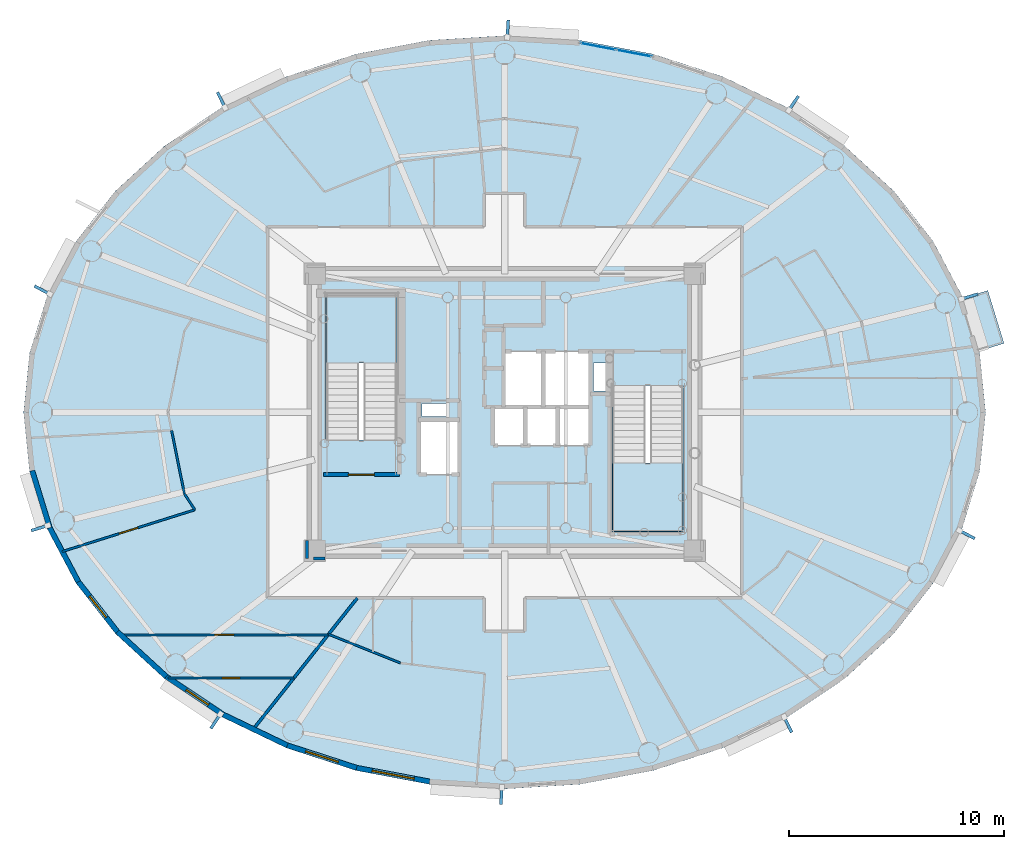
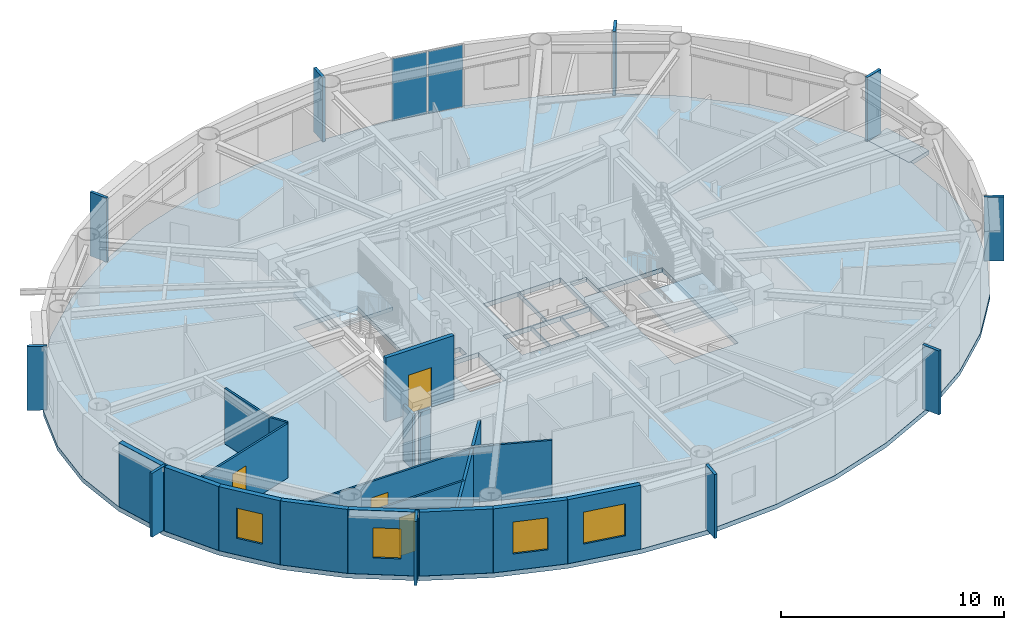
# One storey, part 5 of 17: 18 walls, 12 plates, 4 doors, 4 slabs, 4 windows, 8 openings, 3 elements without a shape of their own.
"""IFC4 building model written with IfcOpenShell, lengths in metres."""

from ifc_helpers import new_model, si_unit, direction, frame, frame_2d, origin, origin_2d, place, context, subcontext, project, spatial, polyline, rectangle, outline, extrude, source, transform, mapped, material, layer, layer_set, type_object, element, fill, aggregate, save


model = new_model("IFC4")

# Units and contexts
model_context = context("Model", 3, precision=1e-05, world=origin(), true_north=direction((0.0, 1.0)))
body_context = subcontext(model_context, "Body", "Model", "MODEL_VIEW")
ifc_project = project(units=[si_unit("LENGTHUNIT", "METRE"), si_unit("AREAUNIT", "SQUARE_METRE"), si_unit("VOLUMEUNIT", "CUBIC_METRE"), si_unit("PLANEANGLEUNIT", "RADIAN"), si_unit("MASSUNIT", "GRAM", prefix="KILO")], contexts=[model_context])

# Site, building, storey
site_placement = place(None, origin())
site = spatial("IfcSite", under=ifc_project, at=site_placement, CompositionType="ELEMENT")
building_placement = place(site_placement, origin())
building = spatial("IfcBuilding", under=site, at=building_placement, Name="Linh Dai School and Residence Tower", CompositionType="ELEMENT")
storey_placement = place(building_placement, frame((0.0, 0.0, 280.5)))
storey = spatial("IfcBuildingStorey", under=building, at=storey_placement, Name="L69", CompositionType="ELEMENT", Elevation=280.5)

# Slabs
ifc_material_1 = material(Name="Concrete B45 (C35/45)", Category="concrete")
ifc_layer_1 = layer(ifc_material_1, 0.219970703125)
ifc_layer_set_1 = layer_set([ifc_layer_1], Name="Concrete B45 (C35/45)")
slab_type_1 = type_object("IfcSlabType", Name="SLB-BALC-220", PredefinedType="FLOOR", material=ifc_layer_set_1)
slab_1_placement = place(storey_placement, frame((0.0, 0.0, -0.219970703125)))
element("IfcSlab", 1, at=slab_1_placement, inside=storey, type_object=slab_type_1, Name="L69 Sliding Balcony Slab 02", PredefinedType="FLOOR", context=body_context, shape_type="SweptSolid", body=[
    extrude(outline(polyline([(57.260498046875, 32.289794921875), (58.015380859375, 29.827880859375), (59.25830078125, 30.208984375), (58.50341796875, 32.6708984375), (57.260498046875, 32.289794921875)])), origin(), (0.0, 0.0, 1.0), 0.219970703125),
])
ifc_layer_2 = layer(ifc_material_1, 0.25)
ifc_layer_set_2 = layer_set([ifc_layer_2], Name="Concrete B45 (C35/45)")
slab_type_2 = type_object("IfcSlabType", Name="SLB-FLR250", PredefinedType="FLOOR", material=ifc_layer_set_2)
slab_2_placement = place(storey_placement, frame((0.0, 0.0, -0.25)))
element("IfcSlab", 2, at=slab_2_placement, inside=storey, type_object=slab_type_2, Name="L69 Composite Structural Floor Slab", PredefinedType="FLOOR", context=body_context, shape_type="SweptSolid", body=[
    extrude(outline(polyline([(58.39990234375, 27.0), (58.124267578125, 29.743896484375), (57.3037109375, 32.420166015625), (55.95849609375, 34.962890625), (54.1220703125, 37.309814453125), (51.839111328125, 39.402587890625), (49.16650390625, 41.190185546875), (46.16943359375, 42.628173828125), (42.921875, 43.681640625), (39.504150390625, 44.323974609375), (36.0, 44.5400390625), (32.495849609375, 44.323974609375), (29.078125, 43.681640625), (25.83056640625, 42.628173828125), (22.83349609375, 41.190185546875), (20.160888671875, 39.402587890625), (17.8779296875, 37.309814453125), (16.04150390625, 34.962890625), (14.6962890625, 32.420166015625), (13.875732421875, 29.743896484375), (13.60009765625, 27.0), (13.875732421875, 24.256103515625), (14.6962890625, 21.579833984375), (16.04150390625, 19.037109375), (17.8779296875, 16.690185546875), (20.160888671875, 14.597412109375), (22.83349609375, 12.809814453125), (25.83056640625, 11.371826171875), (29.078125, 10.318359375), (32.495849609375, 9.676025390625), (36.0, 9.4599609375), (39.504150390625, 9.676025390625), (42.921875, 10.318359375), (46.16943359375, 11.371826171875), (49.16650390625, 12.809814453125), (51.839111328125, 14.597412109375), (54.1220703125, 16.690185546875), (55.95849609375, 19.037109375), (57.3037109375, 21.579833984375), (58.124267578125, 24.256103515625), (58.39990234375, 27.0)]), holes=[polyline([(30.97998046875, 25.699951171875), (30.97998046875, 32.5), (27.679931640625, 32.5), (27.679931640625, 25.699951171875), (30.97998046875, 25.699951171875)]), polyline([(41.02001953125, 28.25), (41.02001953125, 21.449951171875), (44.320068359375, 21.449951171875), (44.320068359375, 28.25), (41.02001953125, 28.25)]), polyline([(35.97998046875, 27.280029296875), (37.77001953125, 27.280029296875), (37.77001953125, 29.820068359375), (35.97998046875, 29.820068359375), (35.97998046875, 27.280029296875)]), polyline([(32.030029296875, 24.1298828125), (33.8701171875, 24.1298828125), (33.8701171875, 26.6201171875), (32.030029296875, 26.6201171875), (32.030029296875, 24.1298828125)]), polyline([(37.830078125, 27.280029296875), (39.969970703125, 27.280029296875), (39.969970703125, 29.820068359375), (37.830078125, 29.820068359375), (37.830078125, 27.280029296875)]), polyline([(35.47998046875, 25.47998046875), (36.929931640625, 25.47998046875), (36.929931640625, 27.219970703125), (35.47998046875, 27.219970703125), (35.47998046875, 25.47998046875)]), polyline([(36.989990234375, 25.47998046875), (38.449951171875, 25.47998046875), (38.449951171875, 27.219970703125), (36.989990234375, 27.219970703125), (36.989990234375, 25.47998046875)]), polyline([(38.510009765625, 25.47998046875), (39.969970703125, 25.47998046875), (39.969970703125, 27.219970703125), (38.510009765625, 27.219970703125), (38.510009765625, 25.47998046875)]), polyline([(40.14990234375, 28.0), (40.14990234375, 29.300048828125), (41.0, 29.300048828125), (41.0, 28.280029296875), (40.989990234375, 28.280029296875), (40.989990234375, 28.0), (40.14990234375, 28.0)]), polyline([(32.14990234375, 26.800048828125), (33.35009765625, 26.800048828125), (33.35009765625, 27.39990234375), (32.14990234375, 27.39990234375), (32.14990234375, 26.800048828125)])]), origin(), (0.0, 0.0, 1.0), 0.25),
])

# Stair, slab
stair_type = type_object("IfcStairType", Name="ST-DOG-1550-R1442", PredefinedType="HALF_TURN_STAIR", material=ifc_material_1)
stair_1_placement = place(storey_placement, origin())
stair_1 = element("IfcStair", 3, at=stair_1_placement, inside=storey, type_object=stair_type, Name="L69 Core Smokeproof Exit Stair ST1", PredefinedType="HALF_TURN_STAIR")
ifc_layer_3 = layer(ifc_material_1, 0.199951171875)
ifc_layer_set_3 = layer_set([ifc_layer_3], Name="Concrete B45 (C35/45)")
slab_type_3 = type_object("IfcSlabType", Name="SLB-ST-LANDING-200", PredefinedType="LANDING", material=ifc_layer_set_3)
slab_3_placement = place(storey_placement, frame((0.0, 0.0, 1.675048828125)))
slab_3 = element("IfcSlab", 4, at=slab_3_placement, type_object=slab_type_3, Name="ST1 landing 1", PredefinedType="LANDING", context=body_context, shape_type="SweptSolid", body=[
    extrude(outline(polyline([(30.97998046875, 29.300048828125), (30.97998046875, 32.5), (27.679931640625, 32.5), (27.679931640625, 29.300048828125), (30.97998046875, 29.300048828125)])), origin(), (0.0, 0.0, 1.0), 0.199951171875),
])
aggregate(stair_1, [slab_3])

stair_2_placement = place(storey_placement, origin())
stair_2 = element("IfcStair", 5, at=stair_2_placement, inside=storey, type_object=stair_type, Name="L69 Core Smokeproof Exit Stair ST2", PredefinedType="HALF_TURN_STAIR")
slab_4_placement = place(storey_placement, frame((0.0, 0.0, 1.675048828125)))
slab_4 = element("IfcSlab", 6, at=slab_4_placement, type_object=slab_type_3, Name="ST2 landing 1", PredefinedType="LANDING", context=body_context, shape_type="SweptSolid", body=[
    extrude(outline(polyline([(41.02001953125, 24.64990234375), (41.02001953125, 21.449951171875), (44.320068359375, 21.449951171875), (44.320068359375, 24.64990234375), (41.02001953125, 24.64990234375)])), origin(), (0.0, 0.0, 1.0), 0.199951171875),
])
aggregate(stair_2, [slab_4])

# Plates
ifc_material_2 = material(Name="Precast Concrete B45 (C35/45)", Category="concrete")
ifc_layer_4 = layer(ifc_material_2, 0.139892578125)
ifc_layer_set_4 = layer_set([ifc_layer_4], Name="Precast Concrete B45 (C35/45)")
plate_type_1 = type_object("IfcPlateType", Name="FIN-TC-900x140", PredefinedType="USERDEFINED", material=ifc_layer_set_4)
shared_shape_1 = source(origin(), body_context, "Body", "SweptSolid", [
    extrude(rectangle(XDim=0.89990234375, YDim=0.139892578125, at=origin_2d()), origin(), (0.0, 0.0, 1.0), 3.5),
])
for number, where, z_axis, x_axis, name in (
    (7, (57.615478515625, 32.377685546875, 0.0), (0.0, 0.0, 1.0), (0.956069236934, 0.293140945944, 0.0), "L69 Precast Terracotta Radial Fin 02"),
    (8, (49.43212890625, 41.355712890625, 0.0), (0.0, 0.0, 1.0), (0.555907926874, 0.831243873264, 0.0), "L69 Precast Terracotta Radial Fin 06"),
    (9, (36.14501953125, 44.81689453125, 0.0), (0.0, 0.0, 1.0), (0.061509965157, 0.998106469364, 0.0), "L69 Precast Terracotta Radial Fin 10"),
    (10, (22.826171875, 41.503173828125, 0.0), (0.0, 0.0, 1.0), (-0.432611916456, 0.901580240323, 0.0), "L69 Precast Terracotta Radial Fin 14"),
    (11, (14.50537109375, 32.669921875, 0.0), (0.0, 0.0, 1.0), (-0.883938310975, 0.467603531201, 0.0), "L69 Precast Terracotta Radial Fin 18"),
    (12, (14.384521484375, 21.622314453125, 0.0), (0.0, 0.0, 1.0), (-0.956069236934, -0.293140945944, 0.0), "L69 Precast Terracotta Radial Fin 22"),
    (13, (22.56787109375, 12.644287109375, 0.0), (0.0, 0.0, 1.0), (-0.555905765624, -0.831245318631, 0.0), "L69 Precast Terracotta Radial Fin 26"),
    (14, (35.85498046875, 9.18310546875, 0.0), (0.0, 0.0, 1.0), (-0.061509965157, -0.998106469364, 0.0), "L69 Precast Terracotta Radial Fin 30"),
    (15, (49.173828125, 12.496826171875, 0.0), (0.0, 0.0, 1.0), (0.432611916456, -0.901580240323, 0.0), "L69 Precast Terracotta Radial Fin 34"),
    (16, (57.49462890625, 21.330078125, 0.0), (0.0, 0.0, 1.0), (0.883938310975, -0.467603531201, 0.0), "L69 Precast Terracotta Radial Fin 38"),
):
    element("IfcPlate", number, at=place(storey_placement, frame(where, z_axis=z_axis, x_axis=x_axis)), inside=storey, type_object=plate_type_1, Name=name, ObjectType="RADIAL FIN", PredefinedType="USERDEFINED", context=body_context, shape_type="MappedRepresentation", body=[
        mapped(shared_shape_1, transform((0.0, 0.0, 0.0), x_axis=(1.0, 0.0, 0.0), y_axis=(0.0, 1.0, 0.0), z_axis=(0.0, 0.0, 1.0), scale=1.0)),
    ])

# Curtain wall, plates
ifc_material_3 = material(Name="Aluminium Anodised Curtain Wall", Category="aluminium")
ifc_layer_5 = layer(ifc_material_3, 0.14990234375)
ifc_layer_set_5 = layer_set([ifc_layer_5], Name="Aluminium Anodised Curtain Wall")
curtain_wall_type = type_object("IfcCurtainWallType", Name="CW-SYS-4", PredefinedType="USERDEFINED", material=ifc_layer_set_5)
curtain_wall_placement = place(storey_placement, origin())
curtain_wall = element("IfcCurtainWall", 17, at=curtain_wall_placement, inside=storey, type_object=curtain_wall_type, Name="L69 CW4 Curtain Wall 09", ObjectType="RIBBON CURTAIN WALL", PredefinedType="USERDEFINED")
ifc_material_4 = material(Name="Double Low-E Insulated Glazing", Category="glass")
ifc_layer_6 = layer(ifc_material_4, 0.02587890625)
ifc_layer_set_6 = layer_set([ifc_layer_6], Name="Double Low-E Insulated Glazing")
plate_type_2 = type_object("IfcPlateType", Name="CW-SYS-4-PAN", PredefinedType="CURTAIN_PANEL", material=ifc_layer_set_6)
shared_shape_2 = source(origin(), body_context, "Body", "SweptSolid", [
    extrude(rectangle(XDim=1.653076171875, YDim=0.02587890625, at=origin_2d()), origin(), (0.0, 0.0, 1.0), 3.39599609375),
])
plate_1_placement = place(storey_placement, frame((40.35205078125, 44.03759765625, 0.052001953125), z_axis=(0.0, 0.0, 1.0), x_axis=(0.982785325002, -0.184751197452, 0.0)))
plate_1 = element("IfcPlate", 18, at=plate_1_placement, type_object=plate_type_2, Name="CW4 panel 1.1", PredefinedType="CURTAIN_PANEL", context=body_context, shape_type="MappedRepresentation", body=[
    mapped(shared_shape_2, transform((0.0, 0.0, 0.0), x_axis=(1.0, 0.0, 0.0), y_axis=(0.0, 1.0, 0.0), z_axis=(0.0, 0.0, 1.0), scale=1.0)),
])
plate_2_placement = place(storey_placement, frame((42.02783203125, 43.72265625, 0.052001953125), z_axis=(0.0, 0.0, 1.0), x_axis=(0.982785325002, -0.184751197452, 0.0)))
plate_2 = element("IfcPlate", 19, at=plate_2_placement, type_object=plate_type_2, Name="CW4 panel 2.1", PredefinedType="CURTAIN_PANEL", context=body_context, shape_type="MappedRepresentation", body=[
    mapped(shared_shape_2, transform((0.0, 0.0, 0.0), x_axis=(1.0, 0.0, 0.0), y_axis=(0.0, 1.0, 0.0), z_axis=(0.0, 0.0, 1.0), scale=1.0)),
])
aggregate(curtain_wall, [plate_1, plate_2])

# Walls
ifc_layer_7 = layer(ifc_material_2, 0.239990234375)
ifc_layer_set_7 = layer_set([ifc_layer_7], Name="Precast Concrete B45 (C35/45)")
wall_type_1 = type_object("IfcWallType", Name="EW-TC-240", PredefinedType="SOLIDWALL", material=ifc_layer_set_7)
wall_1_placement = place(storey_placement, frame((14.811767578125, 21.627685546875, 0.0), z_axis=(0.0, 0.0, 1.0), x_axis=(-0.2931213403, 0.956075248012, 0.0)))
element("IfcWall", 20, at=wall_1_placement, inside=storey, type_object=wall_type_1, Name="L69 Terracotta Exterior Wall 22", PredefinedType="SOLIDWALL", context=body_context, shape_type="SweptSolid", body=[
    extrude(rectangle(XDim=2.775146484375, YDim=0.239990234375, at=frame_2d((1.3876953125, 0.0))), origin(), (0.0, 0.0, 1.0), 3.5),
])
wall_2_placement = place(storey_placement, frame((16.146240234375, 19.105224609375, 0.0), z_axis=(0.0, 0.0, 1.0), x_axis=(-0.467628269026, 0.883925224218, 0.0)))
element("IfcWall", 21, at=wall_2_placement, inside=storey, type_object=wall_type_1, Name="L69 Terracotta Exterior Wall 23", PredefinedType="SOLIDWALL", context=body_context, shape_type="SweptSolid", body=[
    extrude(rectangle(XDim=2.853759765625, YDim=0.239990234375, at=frame_2d((1.4267578125, 0.0))), origin(), (0.0, 0.0, 1.0), 3.5),
])

# Wall, opening, window
wall_3_placement = place(storey_placement, frame((17.9697265625, 16.775390625, 0.0), z_axis=(0.0, 0.0, 1.0), x_axis=(-0.616337186556, 0.787482363275, 0.0)))
wall_3 = element("IfcWall", 22, at=wall_3_placement, inside=storey, type_object=wall_type_1, Name="L69 Terracotta Exterior Wall 24", PredefinedType="SOLIDWALL", context=body_context, shape_type="SweptSolid", body=[
    extrude(rectangle(XDim=2.95849609375, YDim=0.239990234375, at=frame_2d((1.479248046875, 0.0))), origin(), (0.0, 0.0, 1.0), 3.5),
])
opening_1_placement = place(wall_3_placement, frame((0.85400390625, 0.0, 0.89990234375)))
opening_1 = element("IfcOpeningElement", 23, at=opening_1_placement, cuts=wall_3, Name="Opening W3", PredefinedType="OPENING", context=body_context, shape_type="SweptSolid", body=[
    extrude(rectangle(XDim=1.25, YDim=1.64990234375, at=origin_2d()), frame((0.625, 0.1298828125, 0.824951171875), z_axis=(0.0, -1.0, 0.0), x_axis=(1.0, 0.0, 0.0)), (0.0, 0.0, 1.0), 0.260009765625),
])
window_type_1 = type_object("IfcWindowType", Name="WN-RES-1250x1650", PartitioningType="SINGLE_PANEL", PredefinedType="WINDOW", material=ifc_material_4)
shared_shape_3 = source(origin(), body_context, "Body", "SweptSolid", [
    extrude(rectangle(XDim=1.25, YDim=1.64990234375, at=origin_2d()), frame((0.625, 0.030029296875, 0.824951171875), z_axis=(0.0, -1.0, 0.0), x_axis=(1.0, 0.0, 0.0)), (0.0, 0.0, 1.0), 0.06005859375),
])
window_1_placement = place(opening_1_placement, origin())
window_1 = element("IfcWindow", 24, at=window_1_placement, inside=storey, type_object=window_type_1, Name="L69 Exterior Window 24.1", OverallHeight=1.64990234375, OverallWidth=1.25, PartitioningType="SINGLE_PANEL", PredefinedType="WINDOW", context=body_context, shape_type="MappedRepresentation", body=[
    mapped(shared_shape_3, transform((0.0, 0.0, 0.0), x_axis=(1.0, 0.0, 0.0), y_axis=(0.0, 1.0, 0.0), z_axis=(0.0, 0.0, 1.0), scale=1.0)),
])
fill(opening_1, window_1)

# Wall
wall_4_placement = place(storey_placement, frame((20.23779296875, 14.69580078125, 0.0), z_axis=(0.0, 0.0, 1.0), x_axis=(-0.737068506972, 0.675818034703, 0.0)))
element("IfcWall", 25, at=wall_4_placement, inside=storey, type_object=wall_type_1, Name="L69 Terracotta Exterior Wall 25", PredefinedType="SOLIDWALL", context=body_context, shape_type="SweptSolid", body=[
    extrude(rectangle(XDim=3.0771484375, YDim=0.239990234375, at=frame_2d((1.53857421875, 0.0))), origin(), (0.0, 0.0, 1.0), 3.5),
])

# Wall, opening, window
wall_5_placement = place(storey_placement, frame((22.8955078125, 12.91845703125, 0.0), z_axis=(0.0, 0.0, 1.0), x_axis=(-0.831250592635, 0.55589787933, 0.0)))
wall_5 = element("IfcWall", 26, at=wall_5_placement, inside=storey, type_object=wall_type_1, Name="L69 Terracotta Exterior Wall 26", PredefinedType="SOLIDWALL", context=body_context, shape_type="SweptSolid", body=[
    extrude(rectangle(XDim=3.197265625, YDim=0.239990234375, at=frame_2d((1.5986328125, 0.0))), origin(), (0.0, 0.0, 1.0), 3.5),
])
opening_2_placement = place(wall_5_placement, frame((0.822265625, 0.0, 0.89990234375)))
opening_2 = element("IfcOpeningElement", 27, at=opening_2_placement, cuts=wall_5, Name="Opening W3", PredefinedType="OPENING", context=body_context, shape_type="SweptSolid", body=[
    extrude(rectangle(XDim=1.25, YDim=1.64990234375, at=origin_2d()), frame((0.625, 0.1298828125, 0.824951171875), z_axis=(0.0, -1.0, 0.0), x_axis=(1.0, 0.0, 0.0)), (0.0, 0.0, 1.0), 0.260009765625),
])
window_2_placement = place(opening_2_placement, origin())
window_2 = element("IfcWindow", 28, at=window_2_placement, inside=storey, type_object=window_type_1, Name="L69 Exterior Window 26.1", OverallHeight=1.64990234375, OverallWidth=1.25, PartitioningType="SINGLE_PANEL", PredefinedType="WINDOW", context=body_context, shape_type="MappedRepresentation", body=[
    mapped(shared_shape_3, transform((0.0, 0.0, 0.0), x_axis=(1.0, 0.0, 0.0), y_axis=(0.0, 1.0, 0.0), z_axis=(0.0, 0.0, 1.0), scale=1.0)),
])
fill(opening_2, window_2)

# Wall
wall_6_placement = place(storey_placement, frame((25.876953125, 11.48779296875, 0.0), z_axis=(0.0, 0.0, 1.0), x_axis=(-0.901573741254, 0.43262546051, 0.0)))
element("IfcWall", 29, at=wall_6_placement, inside=storey, type_object=wall_type_1, Name="L69 Terracotta Exterior Wall 27", PredefinedType="SOLIDWALL", context=body_context, shape_type="SweptSolid", body=[
    extrude(rectangle(XDim=3.306884765625, YDim=0.239990234375, at=frame_2d((1.6533203125, 0.0))), origin(), (0.0, 0.0, 1.0), 3.5),
])

# Wall, opening, window
wall_7_placement = place(storey_placement, frame((29.10888671875, 10.439697265625, 0.0), z_axis=(0.0, 0.0, 1.0), x_axis=(-0.95123136723, 0.308478339592, 0.0)))
wall_7 = element("IfcWall", 30, at=wall_7_placement, inside=storey, type_object=wall_type_1, Name="L69 Terracotta Exterior Wall 28", PredefinedType="SOLIDWALL", context=body_context, shape_type="SweptSolid", body=[
    extrude(rectangle(XDim=3.397705078125, YDim=0.239990234375, at=frame_2d((1.69873046875, 0.0))), origin(), (0.0, 0.0, 1.0), 3.5),
])
opening_3_placement = place(wall_7_placement, frame((0.898681640625, 0.0, 0.89990234375)))
opening_3 = element("IfcOpeningElement", 31, at=opening_3_placement, cuts=wall_7, Name="Opening W2", PredefinedType="OPENING", context=body_context, shape_type="SweptSolid", body=[
    extrude(rectangle(XDim=1.60009765625, YDim=1.75, at=origin_2d()), frame((0.800048828125, 0.1298828125, 0.875), z_axis=(0.0, -1.0, 0.0), x_axis=(1.0, 0.0, 0.0)), (0.0, 0.0, 1.0), 0.260009765625),
])
window_type_2 = type_object("IfcWindowType", Name="WN-RES-1600x1750", PartitioningType="DOUBLE_PANEL_VERTICAL", PredefinedType="WINDOW", material=ifc_material_4)
shared_shape_4 = source(origin(), body_context, "Body", "SweptSolid", [
    extrude(rectangle(XDim=1.60009765625, YDim=1.75, at=origin_2d()), frame((0.800048828125, 0.030029296875, 0.875), z_axis=(0.0, -1.0, 0.0), x_axis=(1.0, 0.0, 0.0)), (0.0, 0.0, 1.0), 0.06005859375),
])
window_3_placement = place(opening_3_placement, origin())
window_3 = element("IfcWindow", 32, at=window_3_placement, inside=storey, type_object=window_type_2, Name="L69 Exterior Window 28.1", OverallHeight=1.75, OverallWidth=1.60009765625, PartitioningType="DOUBLE_PANEL_VERTICAL", PredefinedType="WINDOW", context=body_context, shape_type="MappedRepresentation", body=[
    mapped(shared_shape_4, transform((0.0, 0.0, 0.0), x_axis=(1.0, 0.0, 0.0), y_axis=(0.0, 1.0, 0.0), z_axis=(0.0, 0.0, 1.0), scale=1.0)),
])
fill(opening_3, window_3)

wall_8_placement = place(storey_placement, frame((32.51123046875, 9.800048828125, 0.0), z_axis=(0.0, 0.0, 1.0), x_axis=(-0.982782655757, 0.184765395959, 0.0)))
wall_8 = element("IfcWall", 33, at=wall_8_placement, inside=storey, type_object=wall_type_1, Name="L69 Terracotta Exterior Wall 29", PredefinedType="SOLIDWALL", context=body_context, shape_type="SweptSolid", body=[
    extrude(rectangle(XDim=3.4619140625, YDim=0.239990234375, at=frame_2d((1.73095703125, 0.0))), origin(), (0.0, 0.0, 1.0), 3.5),
])
opening_4_placement = place(wall_8_placement, frame((0.73095703125, 0.0, 0.89990234375)))
opening_4 = element("IfcOpeningElement", 34, at=opening_4_placement, cuts=wall_8, Name="Opening W1", PredefinedType="OPENING", context=body_context, shape_type="SweptSolid", body=[
    extrude(rectangle(XDim=2.0, YDim=1.75, at=origin_2d()), frame((1.0, 0.1298828125, 0.875), z_axis=(0.0, -1.0, 0.0), x_axis=(1.0, 0.0, 0.0)), (0.0, 0.0, 1.0), 0.260009765625),
])
window_type_3 = type_object("IfcWindowType", Name="WN-RES-2000x1750", PartitioningType="DOUBLE_PANEL_VERTICAL", PredefinedType="WINDOW", material=ifc_material_4)
shared_shape_5 = source(origin(), body_context, "Body", "SweptSolid", [
    extrude(rectangle(XDim=2.0, YDim=1.75, at=origin_2d()), frame((1.0, 0.030029296875, 0.875), z_axis=(0.0, -1.0, 0.0), x_axis=(1.0, 0.0, 0.0)), (0.0, 0.0, 1.0), 0.06005859375),
])
window_4_placement = place(opening_4_placement, origin())
window_4 = element("IfcWindow", 35, at=window_4_placement, inside=storey, type_object=window_type_3, Name="L69 Exterior Window 29.1", OverallHeight=1.75, OverallWidth=2.0, PartitioningType="DOUBLE_PANEL_VERTICAL", PredefinedType="WINDOW", context=body_context, shape_type="MappedRepresentation", body=[
    mapped(shared_shape_5, transform((0.0, 0.0, 0.0), x_axis=(1.0, 0.0, 0.0), y_axis=(0.0, 1.0, 0.0), z_axis=(0.0, 0.0, 1.0), scale=1.0)),
])
fill(opening_4, window_4)

# Walls
ifc_material_5 = material(Name="Autoclaved Aerated Concrete Blockwork", Category="masonry")
ifc_layer_8 = layer(ifc_material_5, 0.135009765625)
ifc_layer_set_8 = layer_set([ifc_layer_8], Name="Autoclaved Aerated Concrete Blockwork")
wall_type_2 = type_object("IfcWallType", Name="IW-CORR-135-EI90", PredefinedType="PARTITIONING", material=ifc_layer_set_8)
wall_9_placement = place(storey_placement, frame((24.2939453125, 12.241943359375, 0.0), z_axis=(0.0, 0.0, 1.0), x_axis=(0.621439784824, 0.783461928774, 0.0)))
element("IfcWall", 36, at=wall_9_placement, inside=storey, type_object=wall_type_2, Name="L69 Interior Partition Wall 012", PredefinedType="PARTITIONING", context=body_context, shape_type="SweptSolid", body=[
    extrude(rectangle(XDim=7.79638671875, YDim=0.135009765625, at=frame_2d((3.898193359375, 0.0))), origin(), (0.0, 0.0, 1.0), 2.985107421875),
])
wall_10_placement = place(storey_placement, frame((26.800048828125, 21.0400390625, 0.0), z_axis=(0.0, 0.0, 1.0), x_axis=(0.0, -1.0, 0.0)))
element("IfcWall", 37, at=wall_10_placement, inside=storey, type_object=wall_type_2, Name="L69 Interior Partition Wall 093", PredefinedType="PARTITIONING", context=body_context, shape_type="SweptSolid", body=[
    extrude(rectangle(XDim=0.840087890625, YDim=0.135009765625, at=frame_2d((0.419921875, 0.0))), origin(), (0.0, 0.0, 1.0), 3.034912109375),
])
wall_11_placement = place(storey_placement, frame((27.107421875, 20.199951171875, 0.0), z_axis=(0.0, 0.0, 1.0), x_axis=(1.0, 0.0, 0.0)))
element("IfcWall", 38, at=wall_11_placement, inside=storey, type_object=wall_type_2, Name="L69 Interior Partition Wall 094", PredefinedType="PARTITIONING", context=body_context, shape_type="SweptSolid", body=[
    extrude(rectangle(XDim=0.532470703125, YDim=0.135009765625, at=frame_2d((0.26611328125, 0.0))), origin(), (0.0, 0.0, 1.0), 3.034912109375),
])

# Wall, opening, door
ifc_layer_9 = layer(ifc_material_1, 0.199951171875)
ifc_layer_set_9 = layer_set([ifc_layer_9], Name="Concrete B45 (C35/45)")
wall_type_3 = type_object("IfcWallType", Name="IW-SHAFT-200-EI120", PredefinedType="PARTITIONING", material=ifc_layer_set_9)
wall_12_placement = place(storey_placement, frame((27.56005859375, 24.10009765625, 0.0), z_axis=(0.0, 0.0, 1.0), x_axis=(1.0, 0.0, 0.0)))
wall_12 = element("IfcWall", 39, at=wall_12_placement, inside=storey, type_object=wall_type_3, Name="L69 Interior Partition Wall 016", PredefinedType="PARTITIONING", context=body_context, shape_type="SweptSolid", body=[
    extrude(rectangle(XDim=3.5400390625, YDim=0.199951171875, at=frame_2d((1.77001953125, 0.0))), origin(), (0.0, 0.0, 1.0), 3.5),
])
opening_5_placement = place(wall_12_placement, frame((1.169921875, 0.0, 0.0)))
opening_5 = element("IfcOpeningElement", 40, at=opening_5_placement, cuts=wall_12, Name="Opening D01", PredefinedType="OPENING", context=body_context, shape_type="SweptSolid", body=[
    extrude(rectangle(XDim=1.199951171875, YDim=2.14990234375, at=origin_2d()), frame((0.60009765625, 0.10986328125, 1.074951171875), z_axis=(0.0, -1.0, 0.0), x_axis=(1.0, 0.0, 0.0)), (0.0, 0.0, 1.0), 0.219970703125),
])
ifc_material_6 = material(Name="Fire-Rated Steel Door Leaf", Category="steel")
door_type_1 = type_object("IfcDoorType", Name="DR-STAIR-1200x2150-FD90S", OperationType="NOTDEFINED", PredefinedType="DOOR", material=ifc_material_6)
shared_shape_6 = source(origin(), body_context, "Body", "SweptSolid", [
    extrude(rectangle(XDim=1.199951171875, YDim=2.14990234375, at=origin_2d()), frame((0.60009765625, 0.02490234375, 1.074951171875), z_axis=(0.0, -1.0, 0.0), x_axis=(1.0, 0.0, 0.0)), (0.0, 0.0, 1.0), 0.050048828125),
])
door_1_placement = place(opening_5_placement, origin())
door_1 = element("IfcDoor", 41, at=door_1_placement, inside=storey, type_object=door_type_1, Name="L69 Core Smokeproof Exit Stair ST1 Door", OperationType="SINGLE_SWING_LEFT", OverallHeight=2.14990234375, OverallWidth=1.199951171875, PredefinedType="DOOR", context=body_context, shape_type="MappedRepresentation", body=[
    mapped(shared_shape_6, transform((0.0, 0.0, 0.0), x_axis=(1.0, 0.0, 0.0), y_axis=(0.0, 1.0, 0.0), z_axis=(0.0, 0.0, 1.0), scale=1.0)),
])
fill(opening_5, door_1)

ifc_material_7 = material(Name="Gypsum Plasterboard Acoustic Stud Partition", Category="masonry")
ifc_layer_10 = layer(ifc_material_7, 0.10009765625)
ifc_layer_set_10 = layer_set([ifc_layer_10], Name="Gypsum Plasterboard Acoustic Stud Partition")
wall_type_4 = type_object("IfcWallType", Name="IW-UNIT-100", PredefinedType="PARTITIONING", material=ifc_layer_set_10)
wall_13_placement = place(storey_placement, frame((15.3955078125, 20.513916015625, 0.0), z_axis=(0.0, 0.0, 1.0), x_axis=(0.95385684782, 0.300261742264, 0.0)))
wall_13 = element("IfcWall", 42, at=wall_13_placement, inside=storey, type_object=wall_type_4, Name="L69 Interior Partition Wall 003", PredefinedType="PARTITIONING", context=body_context, shape_type="SweptSolid", body=[
    extrude(rectangle(XDim=6.47705078125, YDim=0.10009765625, at=frame_2d((3.238525390625, 0.0))), origin(), (0.0, 0.0, 1.0), 2.985107421875),
])
opening_6_placement = place(wall_13_placement, frame((2.78857421875, 0.0, 0.0)))
opening_6 = element("IfcOpeningElement", 43, at=opening_6_placement, cuts=wall_13, Name="Opening D05", PredefinedType="OPENING", context=body_context, shape_type="SweptSolid", body=[
    extrude(rectangle(XDim=0.89990234375, YDim=2.10009765625, at=origin_2d()), frame((0.449951171875, 0.06005859375, 1.050048828125), z_axis=(0.0, -1.0, 0.0), x_axis=(1.0, 0.0, 0.0)), (0.0, 0.0, 1.0), 0.1201171875),
])
ifc_material_8 = material(Name="Engineered Timber Internal Door", Category="wood")
door_type_2 = type_object("IfcDoorType", Name="DR-INT-900x2100", OperationType="NOTDEFINED", PredefinedType="DOOR", material=ifc_material_8)
shared_shape_7 = source(origin(), body_context, "Body", "SweptSolid", [
    extrude(rectangle(XDim=0.89990234375, YDim=2.10009765625, at=origin_2d()), frame((0.449951171875, 0.02490234375, 1.050048828125), z_axis=(0.0, -1.0, 0.0), x_axis=(1.0, 0.0, 0.0)), (0.0, 0.0, 1.0), 0.050048828125),
])
door_2_placement = place(opening_6_placement, origin())
door_2 = element("IfcDoor", 44, at=door_2_placement, inside=storey, type_object=door_type_2, Name="L69 Apartment U6904 Study Door", OperationType="SINGLE_SWING_LEFT", OverallHeight=2.10009765625, OverallWidth=0.89990234375, PredefinedType="DOOR", context=body_context, shape_type="MappedRepresentation", body=[
    mapped(shared_shape_7, transform((0.0, 0.0, 0.0), x_axis=(1.0, 0.0, 0.0), y_axis=(0.0, 1.0, 0.0), z_axis=(0.0, 0.0, 1.0), scale=1.0)),
])
fill(opening_6, door_2)

wall_14_placement = place(storey_placement, frame((18.11767578125, 16.632568359375, 0.0), z_axis=(0.0, 0.0, 1.0), x_axis=(1.0, 0.0, 0.0)))
wall_14 = element("IfcWall", 45, at=wall_14_placement, inside=storey, type_object=wall_type_4, Name="L69 Interior Partition Wall 004", PredefinedType="PARTITIONING", context=body_context, shape_type="SweptSolid", body=[
    extrude(rectangle(XDim=9.6591796875, YDim=0.10009765625, at=frame_2d((4.82958984375, 0.0))), origin(), (0.0, 0.0, 1.0), 2.985107421875),
])
opening_7_placement = place(wall_14_placement, frame((4.37939453125, 0.0, 0.0)))
opening_7 = element("IfcOpeningElement", 46, at=opening_7_placement, cuts=wall_14, Name="Opening D05", PredefinedType="OPENING", context=body_context, shape_type="SweptSolid", body=[
    extrude(rectangle(XDim=0.89990234375, YDim=2.10009765625, at=origin_2d()), frame((0.449951171875, 0.06005859375, 1.050048828125), z_axis=(0.0, -1.0, 0.0), x_axis=(1.0, 0.0, 0.0)), (0.0, 0.0, 1.0), 0.1201171875),
])
door_3_placement = place(opening_7_placement, origin())
door_3 = element("IfcDoor", 47, at=door_3_placement, inside=storey, type_object=door_type_2, Name="L69 Apartment U6904 Kitchen Door", OperationType="SINGLE_SWING_RIGHT", OverallHeight=2.10009765625, OverallWidth=0.89990234375, PredefinedType="DOOR", context=body_context, shape_type="MappedRepresentation", body=[
    mapped(shared_shape_7, transform((0.0, 0.0, 0.0), x_axis=(1.0, 0.0, 0.0), y_axis=(0.0, 1.0, 0.0), z_axis=(0.0, 0.0, 1.0), scale=1.0)),
])
fill(opening_7, door_3)

wall_15_placement = place(storey_placement, frame((20.3330078125, 14.626220703125, 0.0), z_axis=(0.0, 0.0, 1.0), x_axis=(1.0, 0.0, 0.0)))
wall_15 = element("IfcWall", 48, at=wall_15_placement, inside=storey, type_object=wall_type_4, Name="L69 Interior Partition Wall 007", PredefinedType="PARTITIONING", context=body_context, shape_type="SweptSolid", body=[
    extrude(rectangle(XDim=5.852294921875, YDim=0.10009765625, at=frame_2d((2.92626953125, 0.0))), origin(), (0.0, 0.0, 1.0), 2.985107421875),
])
opening_8_placement = place(wall_15_placement, frame((2.51611328125, 0.0, 0.0)))
opening_8 = element("IfcOpeningElement", 49, at=opening_8_placement, cuts=wall_15, Name="Opening D06", PredefinedType="OPENING", context=body_context, shape_type="SweptSolid", body=[
    extrude(rectangle(XDim=0.820068359375, YDim=2.10009765625, at=origin_2d()), frame((0.41015625, 0.06005859375, 1.050048828125), z_axis=(0.0, -1.0, 0.0), x_axis=(1.0, 0.0, 0.0)), (0.0, 0.0, 1.0), 0.1201171875),
])
ifc_material_9 = material(Name="Moisture-Resistant Timber Bathroom Door", Category="wood")
door_type_3 = type_object("IfcDoorType", Name="DR-WET-820x2100", OperationType="NOTDEFINED", PredefinedType="DOOR", material=ifc_material_9)
shared_shape_8 = source(origin(), body_context, "Body", "SweptSolid", [
    extrude(rectangle(XDim=0.820068359375, YDim=2.10009765625, at=origin_2d()), frame((0.41015625, 0.02490234375, 1.050048828125), z_axis=(0.0, -1.0, 0.0), x_axis=(1.0, 0.0, 0.0)), (0.0, 0.0, 1.0), 0.050048828125),
])
door_4_placement = place(opening_8_placement, origin())
door_4 = element("IfcDoor", 50, at=door_4_placement, inside=storey, type_object=door_type_3, Name="L69 Apartment U6904 Bathroom 1 Door", OperationType="SINGLE_SWING_LEFT", OverallHeight=2.10009765625, OverallWidth=0.820068359375, PredefinedType="DOOR", context=body_context, shape_type="MappedRepresentation", body=[
    mapped(shared_shape_8, transform((0.0, 0.0, 0.0), x_axis=(1.0, 0.0, 0.0), y_axis=(0.0, 1.0, 0.0), z_axis=(0.0, 0.0, 1.0), scale=1.0)),
])
fill(opening_8, door_4)

# Walls
wall_16_placement = place(storey_placement, frame((20.491455078125, 26.152099609375, 0.0), z_axis=(0.0, 0.0, 1.0), x_axis=(0.198255475343, -0.980150379532, 0.0)))
element("IfcWall", 51, at=wall_16_placement, inside=storey, type_object=wall_type_4, Name="L69 Interior Partition Wall 008", PredefinedType="PARTITIONING", context=body_context, shape_type="SweptSolid", body=[
    extrude(rectangle(XDim=3.005859375, YDim=0.10009765625, at=frame_2d((1.5029296875, 0.0))), origin(), (0.0, 0.0, 1.0), 3.034912109375),
])
wall_17_placement = place(storey_placement, frame((21.08740234375, 23.205810546875, 0.0), z_axis=(0.0, 0.0, 1.0), x_axis=(0.545565820765, -0.838067977681, 0.0)))
element("IfcWall", 52, at=wall_17_placement, inside=storey, type_object=wall_type_4, Name="L69 Interior Partition Wall 009", PredefinedType="PARTITIONING", context=body_context, shape_type="SweptSolid", body=[
    extrude(rectangle(XDim=0.891357421875, YDim=0.10009765625, at=frame_2d((0.44580078125, 0.0))), origin(), (0.0, 0.0, 1.0), 3.034912109375),
])
wall_18_placement = place(storey_placement, frame((27.799560546875, 16.66162109375, 0.0), z_axis=(0.0, 0.0, 1.0), x_axis=(0.928783988526, -0.370621508628, 0.0)))
element("IfcWall", 53, at=wall_18_placement, inside=storey, type_object=wall_type_4, Name="L69 Interior Partition Wall 018", PredefinedType="PARTITIONING", context=body_context, shape_type="SweptSolid", body=[
    extrude(rectangle(XDim=3.612548828125, YDim=0.10009765625, at=frame_2d((1.80615234375, 0.0))), origin(), (0.0, 0.0, 1.0), 3.034912109375),
])

save(model, "model.ifc")
